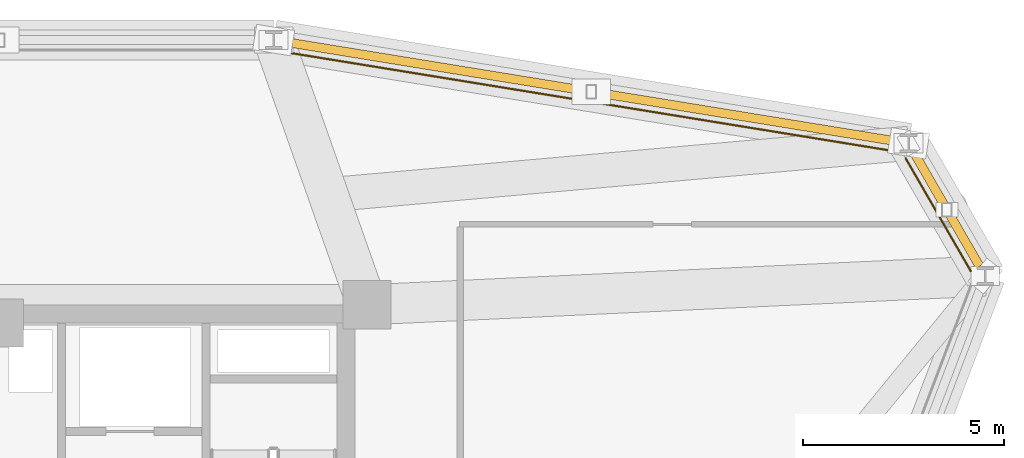
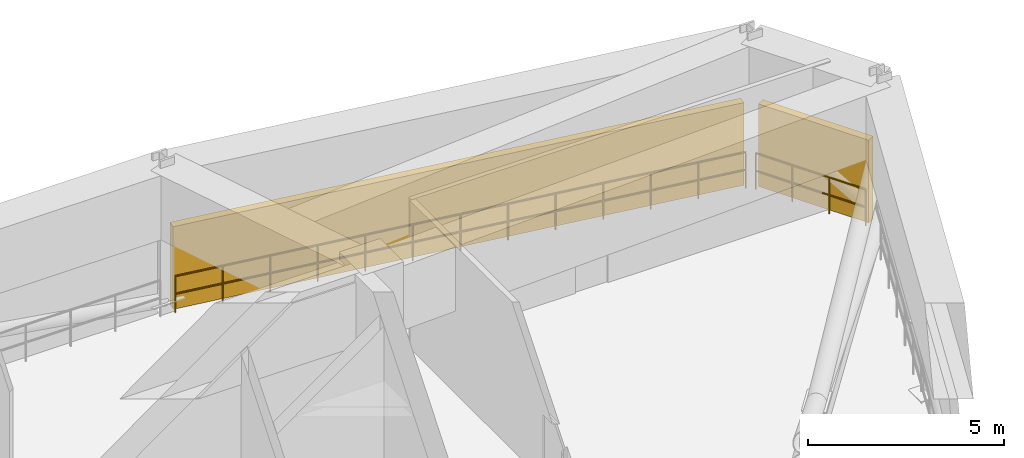
# One storey, part 13 of 13: 2 railings, 2 shading devices.
"""IFC4 building model written with IfcOpenShell, lengths in metres."""

import ifcopenshell
import ifcopenshell.guid

model = None  # the IFC model being written
_history = None  # IfcOwnerHistory: only IFC2X3 demands one
_inside = {}  # id of a spatial element -> (the spatial element, [elements in it])
_under = {}  # id of a project, library or spatial element -> (it, [spatial elements below it])
_declared = {}  # id of a project -> (the project, [libraries it declares])
_typed = {}  # id of a type object -> (the type object, [elements of that type])
_made_of = {}  # id of a material, layer set ... -> (it, [elements and type objects made of it])


def new_model(schema):
    """Start an empty IFC model of exactly this schema.

    Asked for "IFC4X3", IfcOpenShell would pick the latest addendum, in which some entities
    have other attributes; the version numbers below select the first issue.
    IFC2X3 requires an IfcOwnerHistory on every rooted entity: one is made here for all.
    """
    global model, _history
    if schema == "IFC4X3":
        model = ifcopenshell.file(schema_version=(4, 3, 0, 0))
    else:
        model = ifcopenshell.file(schema=schema)
    _inside.clear()
    _under.clear()
    _declared.clear()
    _typed.clear()
    _made_of.clear()
    _history = None
    if model.schema == "IFC2X3":
        org = make("IfcOrganization", Name="unknown")
        user = make(
            "IfcPersonAndOrganization",
            ThePerson=make("IfcPerson", FamilyName="unknown"),
            TheOrganization=org,
        )
        app = make(
            "IfcApplication",
            ApplicationDeveloper=org,
            Version="unknown",
            ApplicationFullName="unknown",
            ApplicationIdentifier="unknown",
        )
        _history = make(
            "IfcOwnerHistory",
            OwningUser=user,
            OwningApplication=app,
            ChangeAction="ADDED",
            CreationDate=0,
        )
    return model


def make(cls, **values):
    """One entity of the class cls with the attributes given. An attribute that is None is left unset."""
    return model.create_entity(
        cls, **{name: value for name, value in values.items() if value is not None}
    )


def rooted(cls, **values):
    """An entity with a GlobalId (a new one), such as an element, a storey or a relation."""
    return make(cls, GlobalId=ifcopenshell.guid.new(), OwnerHistory=_history, **values)


def si_unit(unit_type, name, prefix=None):
    """IfcSIUnit, for example si_unit("LENGTHUNIT", "METRE", prefix="MILLI")."""
    return make("IfcSIUnit", UnitType=unit_type, Prefix=prefix, Name=name)


def derived_unit(unit_type, elements):
    """IfcDerivedUnit: a product of units, each with its exponent."""
    return make(
        "IfcDerivedUnit",
        Elements=[
            make("IfcDerivedUnitElement", Unit=unit, Exponent=power)
            for unit, power in elements
        ],
        UnitType=unit_type,
    )


def assignment(units):
    """IfcUnitAssignment: the units of a project."""
    return None if units is None else make("IfcUnitAssignment", Units=units)


def point(xyz):
    """IfcCartesianPoint."""
    return None if xyz is None else make("IfcCartesianPoint", Coordinates=xyz)


def direction(xyz):
    """IfcDirection."""
    return None if xyz is None else make("IfcDirection", DirectionRatios=xyz)


def frame(location, z_axis=None, x_axis=None):
    """IfcAxis2Placement3D, a coordinate frame: its origin and axes. An axis left out is left unset."""
    return make(
        "IfcAxis2Placement3D",
        Location=point(location),
        Axis=direction(z_axis),
        RefDirection=direction(x_axis),
    )


def frame_2d(location, x_axis=None):
    """IfcAxis2Placement2D, a coordinate frame in the plane: its origin and x axis."""
    return make(
        "IfcAxis2Placement2D", Location=point(location), RefDirection=direction(x_axis)
    )


def origin():
    """The frame at (0, 0, 0) with its axes left unset."""
    return frame((0.0, 0.0, 0.0))


def origin_2d():
    """The frame at (0, 0) in the plane with its x axis left unset."""
    return frame_2d((0.0, 0.0))


def place(relative_to, where):
    """IfcLocalPlacement: puts the frame where relative to a parent placement (None: the world)."""
    return make(
        "IfcLocalPlacement", PlacementRelTo=relative_to, RelativePlacement=where
    )


def context(
    kind, dimensions, precision=None, world=None, true_north=None, identifier=None
):
    """IfcGeometricRepresentationContext, for example the 3D "Model" context."""
    return make(
        "IfcGeometricRepresentationContext",
        ContextIdentifier=identifier,
        ContextType=kind,
        CoordinateSpaceDimension=dimensions,
        Precision=precision,
        WorldCoordinateSystem=world,
        TrueNorth=true_north,
    )


def subcontext(parent, identifier, kind, view, scale=None):
    """IfcGeometricRepresentationSubContext, for example "Body" below "Model"."""
    return make(
        "IfcGeometricRepresentationSubContext",
        ContextIdentifier=identifier,
        ContextType=kind,
        ParentContext=parent,
        TargetScale=scale,
        TargetView=view,
    )


def project(units=None, contexts=None):
    """IfcProject with its units and contexts."""
    return rooted(
        "IfcProject",
        Name="project",
        RepresentationContexts=contexts,
        UnitsInContext=assignment(units),
    )


def spatial(cls, under=None, at=None, **own):
    """A site, building, storey or space (cls), placed at a placement, below another one or the project."""
    s = rooted(cls, ObjectPlacement=at, **own)
    if under is not None:
        _under.setdefault(under.id(), (under, []))[1].append(s)
    return s


def polyline(points):
    """IfcPolyline through the points."""
    return make("IfcPolyline", Points=[point(p) for p in points])


def profile(cls, at=None, kind="AREA", **sizes):
    """A parametric profile (cls). Its sizes go by their IFC names, for example OverallWidth=200.0."""
    return make(cls, ProfileType=kind, Position=at, **sizes)


def circle(**sizes):
    """IfcCircleProfileDef."""
    return profile("IfcCircleProfileDef", **sizes)


def outline(outer, holes=None, kind="AREA"):
    """IfcArbitraryClosedProfileDef: a profile drawn as a closed curve; with holes, ...WithVoids."""
    if holes is None:
        return make("IfcArbitraryClosedProfileDef", ProfileType=kind, OuterCurve=outer)
    return make(
        "IfcArbitraryProfileDefWithVoids",
        ProfileType=kind,
        OuterCurve=outer,
        InnerCurves=holes,
    )


def extrude(swept, where, along, depth):
    """IfcExtrudedAreaSolid: the profile swept, set in the frame where, extruded along a direction by depth."""
    return make(
        "IfcExtrudedAreaSolid",
        SweptArea=swept,
        Position=where,
        ExtrudedDirection=direction(along),
        Depth=depth,
    )


def shape(context_of_items, identifier, shape_type, items):
    """IfcShapeRepresentation: the items that make up one representation, for example the "Body"."""
    return make(
        "IfcShapeRepresentation",
        ContextOfItems=context_of_items,
        RepresentationIdentifier=identifier,
        RepresentationType=shape_type,
        Items=items,
    )


def material(Name=None, Category=None):
    """IfcMaterial."""
    return make("IfcMaterial", Name=Name, Category=Category)


def layer(
    of_material, thickness, ventilated=None, Name=None, Category=None, Priority=None
):
    """IfcMaterialLayer: one layer of a wall or slab, of a material (None: an air gap)."""
    return make(
        "IfcMaterialLayer",
        Material=of_material,
        LayerThickness=thickness,
        IsVentilated=ventilated,
        Name=Name,
        Category=Category,
        Priority=Priority,
    )


def layer_set(layers, Name=None):
    """IfcMaterialLayerSet."""
    return make("IfcMaterialLayerSet", MaterialLayers=layers, LayerSetName=Name)


def made_of(thing, what):
    """Note that an element or type object is made of a material, layer set ...; save() writes the relation."""
    if what is not None:
        _made_of.setdefault(what.id(), (what, []))[1].append(thing)
    return thing


def type_object(cls, material=None, **own):
    """A type object (cls), such as IfcWallType, which elements share."""
    return made_of(rooted(cls, **own), material)


def element(
    cls,
    number,
    at=None,
    inside=None,
    cuts=None,
    type_object=None,
    material=None,
    context=None,
    identifier="Body",
    shape_type=None,
    held_by="IfcProductDefinitionShape",
    body=None,
    shapes=None,
    **own,
):
    """One element of the class cls, such as IfcWall. Its Tag is "e" and its number.

    at: its placement. inside: the storey or other place that contains it. cuts: it is an
    opening in that element (IfcRelVoidsElement). A single representation is given by context,
    identifier, shape_type and body (its items); several are given by shapes. held_by: the class
    of the entity that holds the representations. save() writes the other relations.
    """
    e = rooted(cls, Tag="e%d" % number, ObjectPlacement=at, **own)
    if body is not None:
        shapes = [shape(context, identifier, shape_type, body)]
    if shapes is not None:
        e.Representation = make(held_by, Representations=shapes)
    if inside is not None:
        _inside.setdefault(inside.id(), (inside, []))[1].append(e)
    if cuts is not None:
        rooted(
            "IfcRelVoidsElement", RelatingBuildingElement=cuts, RelatedOpeningElement=e
        )
    if type_object is not None:
        _typed.setdefault(type_object.id(), (type_object, []))[1].append(e)
    return made_of(e, material)


def aggregate(whole, parts):
    """IfcRelAggregates: a whole, such as a stair, and the parts it consists of."""
    return rooted("IfcRelAggregates", RelatingObject=whole, RelatedObjects=parts)


def save(model, path):
    """Write the relations noted so far, then the file.

    IfcRelAggregates (storeys below a building ...), IfcRelContainedInSpatialStructure (elements
    in a storey), IfcRelDefinesByType, IfcRelAssociatesMaterial and IfcRelDeclares: one each for
    every whole, place, type object, material and project.
    """
    for whole, parts in _under.values():
        aggregate(whole, parts)
    for where, things in _inside.values():
        rooted(
            "IfcRelContainedInSpatialStructure",
            RelatedElements=things,
            RelatingStructure=where,
        )
    for kind, things in _typed.values():
        rooted("IfcRelDefinesByType", RelatedObjects=things, RelatingType=kind)
    for what, things in _made_of.values():
        rooted("IfcRelAssociatesMaterial", RelatedObjects=things, RelatingMaterial=what)
    for by, libraries in _declared.values():
        rooted("IfcRelDeclares", RelatingContext=by, RelatedDefinitions=libraries)
    model.write(path)


model = new_model("IFC4")

# Units and contexts
model_context = context("Model", 3, precision=1e-05, world=origin(), true_north=direction((0.0, 1.0)))
body_context = subcontext(model_context, "Body", "Model", "MODEL_VIEW")
ifc_project = project(units=[si_unit("LENGTHUNIT", "METRE"), si_unit("AREAUNIT", "SQUARE_METRE"), si_unit("VOLUMEUNIT", "CUBIC_METRE"), si_unit("PLANEANGLEUNIT", "RADIAN"), si_unit("MASSUNIT", "GRAM", prefix="KILO"), derived_unit("THERMALTRANSMITTANCEUNIT", [(si_unit("POWERUNIT", "WATT"), 1), (si_unit("LENGTHUNIT", "METRE"), -2), (si_unit("THERMODYNAMICTEMPERATUREUNIT", "KELVIN"), -1)])], contexts=[model_context])

# Site, building, storey
site_placement = place(None, origin())
site = spatial("IfcSite", under=ifc_project, at=site_placement, CompositionType="ELEMENT")
building_placement = place(site_placement, origin())
building = spatial("IfcBuilding", under=site, at=building_placement, Name="Korsvarv Bourse and Concert Hall", CompositionType="ELEMENT")
storey_placement = place(building_placement, frame((0.0, 0.0, 131.39990234375)))
storey = spatial("IfcBuildingStorey", under=building, at=storey_placement, Name="L33", CompositionType="ELEMENT", Elevation=131.39990234375)

# Railings
ifc_material_1 = material(Name="Laminated safety glass and stainless Steel S355 balustrade", Category="steel")
railing_type = type_object("IfcRailingType", Name="RL-BAL-EXT", PredefinedType="BALUSTRADE", material=ifc_material_1)
railing_1_placement = place(storey_placement, frame((60.182373046875, 48.088623046875, 0.0)))
element("IfcRailing", 1, at=railing_1_placement, inside=storey, type_object=railing_type, Name="L33 Refuge Band Perimeter Safety Balustrade 1", PredefinedType="BALUSTRADE", context=body_context, shape_type="SweptSolid", body=[
    extrude(circle(Radius=0.02392578125, at=origin_2d()), frame((0.0, 0.0, 1.1259765625), z_axis=(-0.499991708921, 0.866030190588, 0.0), x_axis=(-0.866030190588, -0.499991708921, 0.0)), (0.0, 0.0, 1.0), 3.244140625),
    extrude(circle(Radius=0.02392578125, at=origin_2d()), frame((0.0, 0.0, 0.574951171875), z_axis=(-0.499991708921, 0.866030190588, 0.0), x_axis=(-0.866030190588, -0.499991708921, 0.0)), (0.0, 0.0, 1.0), 3.244140625),
    extrude(circle(Radius=0.02099609375, at=origin_2d()), origin(), (0.0, 0.0, 1.0), 1.101806640625),
    extrude(circle(Radius=0.02099609375, at=origin_2d()), frame((-0.540771484375, 0.9365234375, 0.0)), (0.0, 0.0, 1.0), 1.101806640625),
    extrude(circle(Radius=0.02099609375, at=origin_2d()), frame((-1.081298828125, 1.873046875, 0.0)), (0.0, 0.0, 1.0), 1.101806640625),
    extrude(circle(Radius=0.02099609375, at=origin_2d()), frame((-1.6220703125, 2.8095703125, 0.0)), (0.0, 0.0, 1.0), 1.101806640625),
])
railing_2_placement = place(storey_placement, frame((58.36474609375, 51.061279296875, 0.0)))
element("IfcRailing", 2, at=railing_2_placement, inside=storey, type_object=railing_type, Name="L33 Refuge Band Perimeter Safety Balustrade 2", PredefinedType="BALUSTRADE", context=body_context, shape_type="SweptSolid", body=[
    extrude(circle(Radius=0.02392578125, at=origin_2d()), frame((0.0, 0.0, 1.1259765625), z_axis=(-0.987036262607, 0.160497402778, 0.0), x_axis=(-0.160497402778, -0.987036262607, 0.0)), (0.0, 0.0, 1.0), 15.55078125),
    extrude(circle(Radius=0.02392578125, at=origin_2d()), frame((0.0, 0.0, 0.574951171875), z_axis=(-0.987036262607, 0.160497402778, 0.0), x_axis=(-0.160497402778, -0.987036262607, 0.0)), (0.0, 0.0, 1.0), 15.55078125),
    extrude(circle(Radius=0.02099609375, at=origin_2d()), origin(), (0.0, 0.0, 1.0), 1.101806640625),
    extrude(circle(Radius=0.02099609375, at=origin_2d()), frame((-1.279052734375, 0.2080078125, 0.0)), (0.0, 0.0, 1.0), 1.101806640625),
    extrude(circle(Radius=0.02099609375, at=origin_2d()), frame((-2.55810546875, 0.416015625, 0.0)), (0.0, 0.0, 1.0), 1.101806640625),
    extrude(circle(Radius=0.02099609375, at=origin_2d()), frame((-3.83740234375, 0.6240234375, 0.0)), (0.0, 0.0, 1.0), 1.101806640625),
    extrude(circle(Radius=0.02099609375, at=origin_2d()), frame((-5.116455078125, 0.83203125, 0.0)), (0.0, 0.0, 1.0), 1.101806640625),
    extrude(circle(Radius=0.02099609375, at=origin_2d()), frame((-6.3955078125, 1.0400390625, 0.0)), (0.0, 0.0, 1.0), 1.101806640625),
    extrude(circle(Radius=0.02099609375, at=origin_2d()), frame((-7.674560546875, 1.248046875, 0.0)), (0.0, 0.0, 1.0), 1.101806640625),
    extrude(circle(Radius=0.02099609375, at=origin_2d()), frame((-8.95361328125, 1.455810546875, 0.0)), (0.0, 0.0, 1.0), 1.101806640625),
    extrude(circle(Radius=0.02099609375, at=origin_2d()), frame((-10.232666015625, 1.663818359375, 0.0)), (0.0, 0.0, 1.0), 1.101806640625),
    extrude(circle(Radius=0.02099609375, at=origin_2d()), frame((-11.51171875, 1.871826171875, 0.0)), (0.0, 0.0, 1.0), 1.101806640625),
    extrude(circle(Radius=0.02099609375, at=origin_2d()), frame((-12.791015625, 2.079833984375, 0.0)), (0.0, 0.0, 1.0), 1.101806640625),
    extrude(circle(Radius=0.02099609375, at=origin_2d()), frame((-14.070068359375, 2.287841796875, 0.0)), (0.0, 0.0, 1.0), 1.101806640625),
    extrude(circle(Radius=0.02099609375, at=origin_2d()), frame((-15.34912109375, 2.495849609375, 0.0)), (0.0, 0.0, 1.0), 1.101806640625),
])

# Shading devices
ifc_material_2 = material(Name="Marine-grade powder-coated aluminium acoustic storm louvre", Category="aluminium")
ifc_layer = layer(ifc_material_2, 0.219970703125)
ifc_layer_set = layer_set([ifc_layer], Name="Marine-grade powder-coated aluminium acoustic storm louvre")
shading_device_type = type_object("IfcShadingDeviceType", Name="SHD-LVR-1", PredefinedType="JALOUSIE", material=ifc_layer_set)
shading_device_1_placement = place(storey_placement, origin())
element("IfcShadingDevice", 3, at=shading_device_1_placement, inside=storey, type_object=shading_device_type, Name="L33 Refuge Acoustic Storm Louvre Bay 1", PredefinedType="JALOUSIE", context=body_context, shape_type="SweptSolid", body=[
    extrude(outline(polyline([(60.3037109375, 48.15869140625), (58.681396484375, 50.96826171875), (58.8720703125, 51.078369140625), (60.494140625, 48.2685546875), (60.3037109375, 48.15869140625)])), origin(), (0.0, 0.0, 1.0), 2.570068359375),
])
shading_device_2_placement = place(storey_placement, origin())
element("IfcShadingDevice", 4, at=shading_device_2_placement, inside=storey, type_object=shading_device_type, Name="L33 Refuge Acoustic Storm Louvre Bay 2", PredefinedType="JALOUSIE", context=body_context, shape_type="SweptSolid", body=[
    extrude(outline(polyline([(58.38720703125, 51.199462890625), (43.0380859375, 53.6953125), (43.073486328125, 53.91259765625), (58.422607421875, 51.41650390625), (58.38720703125, 51.199462890625)])), origin(), (0.0, 0.0, 1.0), 2.570068359375),
])

save(model, "model.ifc")
